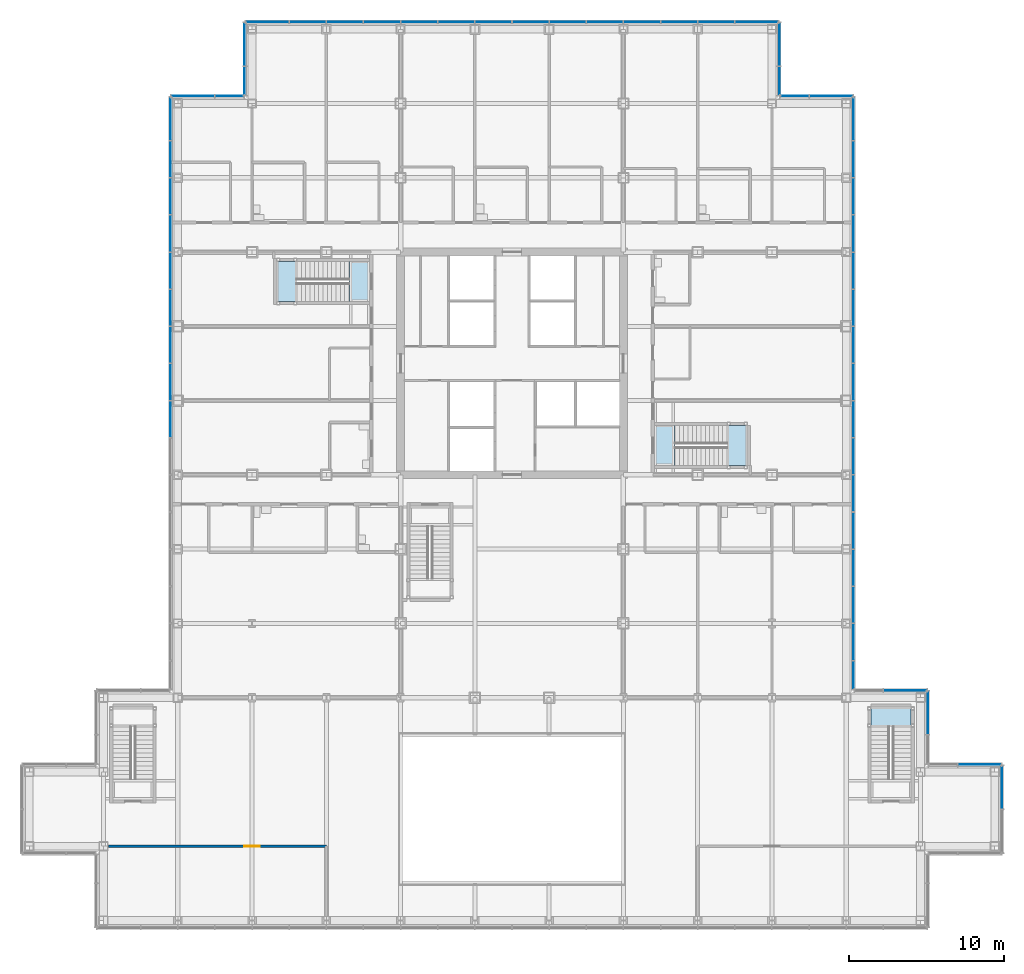
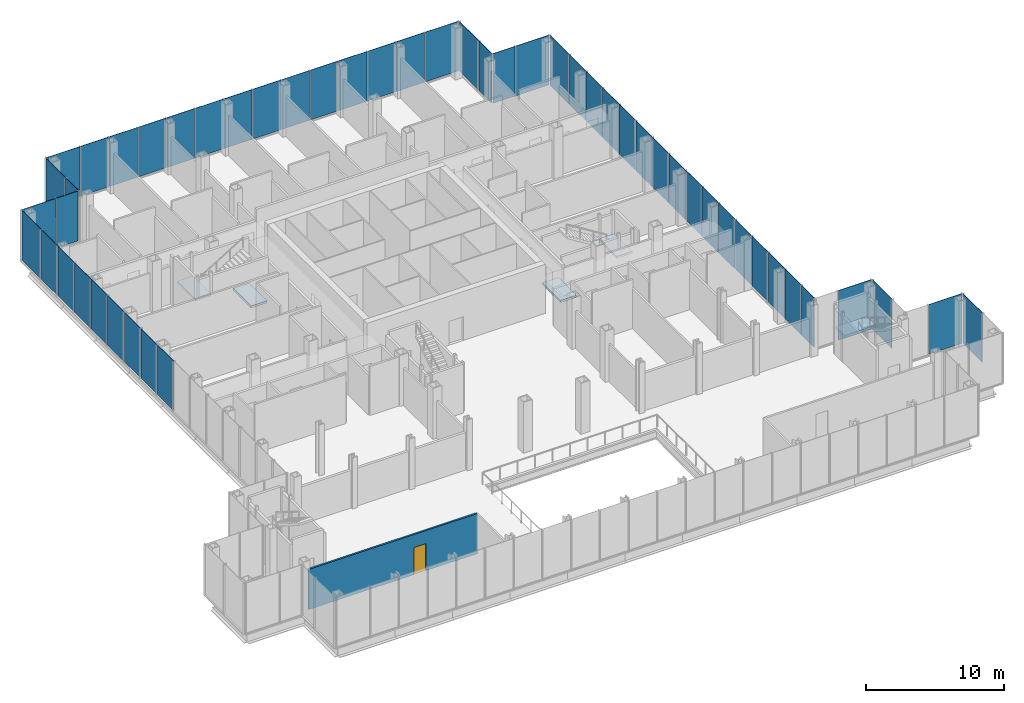
# One storey, part 18 of 25: 51 plates, 5 slabs, 1 door, 1 wall, 1 opening, 14 elements without a shape of their own.
"""IFC4 building model written with IfcOpenShell, lengths in metres."""

import ifcopenshell
import ifcopenshell.guid

model = None  # the IFC model being written
_history = None  # IfcOwnerHistory: only IFC2X3 demands one
_inside = {}  # id of a spatial element -> (the spatial element, [elements in it])
_under = {}  # id of a project, library or spatial element -> (it, [spatial elements below it])
_declared = {}  # id of a project -> (the project, [libraries it declares])
_typed = {}  # id of a type object -> (the type object, [elements of that type])
_made_of = {}  # id of a material, layer set ... -> (it, [elements and type objects made of it])


def new_model(schema):
    """Start an empty IFC model of exactly this schema.

    Asked for "IFC4X3", IfcOpenShell would pick the latest addendum, in which some entities
    have other attributes; the version numbers below select the first issue.
    IFC2X3 requires an IfcOwnerHistory on every rooted entity: one is made here for all.
    """
    global model, _history
    if schema == "IFC4X3":
        model = ifcopenshell.file(schema_version=(4, 3, 0, 0))
    else:
        model = ifcopenshell.file(schema=schema)
    _inside.clear()
    _under.clear()
    _declared.clear()
    _typed.clear()
    _made_of.clear()
    _history = None
    if model.schema == "IFC2X3":
        org = make("IfcOrganization", Name="unknown")
        user = make(
            "IfcPersonAndOrganization",
            ThePerson=make("IfcPerson", FamilyName="unknown"),
            TheOrganization=org,
        )
        app = make(
            "IfcApplication",
            ApplicationDeveloper=org,
            Version="unknown",
            ApplicationFullName="unknown",
            ApplicationIdentifier="unknown",
        )
        _history = make(
            "IfcOwnerHistory",
            OwningUser=user,
            OwningApplication=app,
            ChangeAction="ADDED",
            CreationDate=0,
        )
    return model


def make(cls, **values):
    """One entity of the class cls with the attributes given. An attribute that is None is left unset."""
    return model.create_entity(
        cls, **{name: value for name, value in values.items() if value is not None}
    )


def rooted(cls, **values):
    """An entity with a GlobalId (a new one), such as an element, a storey or a relation."""
    return make(cls, GlobalId=ifcopenshell.guid.new(), OwnerHistory=_history, **values)


def si_unit(unit_type, name, prefix=None):
    """IfcSIUnit, for example si_unit("LENGTHUNIT", "METRE", prefix="MILLI")."""
    return make("IfcSIUnit", UnitType=unit_type, Prefix=prefix, Name=name)


def assignment(units):
    """IfcUnitAssignment: the units of a project."""
    return None if units is None else make("IfcUnitAssignment", Units=units)


def point(xyz):
    """IfcCartesianPoint."""
    return None if xyz is None else make("IfcCartesianPoint", Coordinates=xyz)


def direction(xyz):
    """IfcDirection."""
    return None if xyz is None else make("IfcDirection", DirectionRatios=xyz)


def frame(location, z_axis=None, x_axis=None):
    """IfcAxis2Placement3D, a coordinate frame: its origin and axes. An axis left out is left unset."""
    return make(
        "IfcAxis2Placement3D",
        Location=point(location),
        Axis=direction(z_axis),
        RefDirection=direction(x_axis),
    )


def frame_2d(location, x_axis=None):
    """IfcAxis2Placement2D, a coordinate frame in the plane: its origin and x axis."""
    return make(
        "IfcAxis2Placement2D", Location=point(location), RefDirection=direction(x_axis)
    )


def origin():
    """The frame at (0, 0, 0) with its axes left unset."""
    return frame((0.0, 0.0, 0.0))


def origin_2d():
    """The frame at (0, 0) in the plane with its x axis left unset."""
    return frame_2d((0.0, 0.0))


def place(relative_to, where):
    """IfcLocalPlacement: puts the frame where relative to a parent placement (None: the world)."""
    return make(
        "IfcLocalPlacement", PlacementRelTo=relative_to, RelativePlacement=where
    )


def context(
    kind, dimensions, precision=None, world=None, true_north=None, identifier=None
):
    """IfcGeometricRepresentationContext, for example the 3D "Model" context."""
    return make(
        "IfcGeometricRepresentationContext",
        ContextIdentifier=identifier,
        ContextType=kind,
        CoordinateSpaceDimension=dimensions,
        Precision=precision,
        WorldCoordinateSystem=world,
        TrueNorth=true_north,
    )


def subcontext(parent, identifier, kind, view, scale=None):
    """IfcGeometricRepresentationSubContext, for example "Body" below "Model"."""
    return make(
        "IfcGeometricRepresentationSubContext",
        ContextIdentifier=identifier,
        ContextType=kind,
        ParentContext=parent,
        TargetScale=scale,
        TargetView=view,
    )


def project(units=None, contexts=None):
    """IfcProject with its units and contexts."""
    return rooted(
        "IfcProject",
        Name="project",
        RepresentationContexts=contexts,
        UnitsInContext=assignment(units),
    )


def spatial(cls, under=None, at=None, **own):
    """A site, building, storey or space (cls), placed at a placement, below another one or the project."""
    s = rooted(cls, ObjectPlacement=at, **own)
    if under is not None:
        _under.setdefault(under.id(), (under, []))[1].append(s)
    return s


def polyline(points):
    """IfcPolyline through the points."""
    return make("IfcPolyline", Points=[point(p) for p in points])


def profile(cls, at=None, kind="AREA", **sizes):
    """A parametric profile (cls). Its sizes go by their IFC names, for example OverallWidth=200.0."""
    return make(cls, ProfileType=kind, Position=at, **sizes)


def rectangle(**sizes):
    """IfcRectangleProfileDef."""
    return profile("IfcRectangleProfileDef", **sizes)


def outline(outer, holes=None, kind="AREA"):
    """IfcArbitraryClosedProfileDef: a profile drawn as a closed curve; with holes, ...WithVoids."""
    if holes is None:
        return make("IfcArbitraryClosedProfileDef", ProfileType=kind, OuterCurve=outer)
    return make(
        "IfcArbitraryProfileDefWithVoids",
        ProfileType=kind,
        OuterCurve=outer,
        InnerCurves=holes,
    )


def extrude(swept, where, along, depth):
    """IfcExtrudedAreaSolid: the profile swept, set in the frame where, extruded along a direction by depth."""
    return make(
        "IfcExtrudedAreaSolid",
        SweptArea=swept,
        Position=where,
        ExtrudedDirection=direction(along),
        Depth=depth,
    )


def shape(context_of_items, identifier, shape_type, items):
    """IfcShapeRepresentation: the items that make up one representation, for example the "Body"."""
    return make(
        "IfcShapeRepresentation",
        ContextOfItems=context_of_items,
        RepresentationIdentifier=identifier,
        RepresentationType=shape_type,
        Items=items,
    )


def material(Name=None, Category=None):
    """IfcMaterial."""
    return make("IfcMaterial", Name=Name, Category=Category)


def layer(
    of_material, thickness, ventilated=None, Name=None, Category=None, Priority=None
):
    """IfcMaterialLayer: one layer of a wall or slab, of a material (None: an air gap)."""
    return make(
        "IfcMaterialLayer",
        Material=of_material,
        LayerThickness=thickness,
        IsVentilated=ventilated,
        Name=Name,
        Category=Category,
        Priority=Priority,
    )


def layer_set(layers, Name=None):
    """IfcMaterialLayerSet."""
    return make("IfcMaterialLayerSet", MaterialLayers=layers, LayerSetName=Name)


def made_of(thing, what):
    """Note that an element or type object is made of a material, layer set ...; save() writes the relation."""
    if what is not None:
        _made_of.setdefault(what.id(), (what, []))[1].append(thing)
    return thing


def type_object(cls, material=None, **own):
    """A type object (cls), such as IfcWallType, which elements share."""
    return made_of(rooted(cls, **own), material)


def element(
    cls,
    number,
    at=None,
    inside=None,
    cuts=None,
    type_object=None,
    material=None,
    context=None,
    identifier="Body",
    shape_type=None,
    held_by="IfcProductDefinitionShape",
    body=None,
    shapes=None,
    **own,
):
    """One element of the class cls, such as IfcWall. Its Tag is "e" and its number.

    at: its placement. inside: the storey or other place that contains it. cuts: it is an
    opening in that element (IfcRelVoidsElement). A single representation is given by context,
    identifier, shape_type and body (its items); several are given by shapes. held_by: the class
    of the entity that holds the representations. save() writes the other relations.
    """
    e = rooted(cls, Tag="e%d" % number, ObjectPlacement=at, **own)
    if body is not None:
        shapes = [shape(context, identifier, shape_type, body)]
    if shapes is not None:
        e.Representation = make(held_by, Representations=shapes)
    if inside is not None:
        _inside.setdefault(inside.id(), (inside, []))[1].append(e)
    if cuts is not None:
        rooted(
            "IfcRelVoidsElement", RelatingBuildingElement=cuts, RelatedOpeningElement=e
        )
    if type_object is not None:
        _typed.setdefault(type_object.id(), (type_object, []))[1].append(e)
    return made_of(e, material)


def fill(opening, filler):
    """IfcRelFillsElement: the door or window that sits in an opening."""
    return rooted(
        "IfcRelFillsElement",
        RelatingOpeningElement=opening,
        RelatedBuildingElement=filler,
    )


def aggregate(whole, parts):
    """IfcRelAggregates: a whole, such as a stair, and the parts it consists of."""
    return rooted("IfcRelAggregates", RelatingObject=whole, RelatedObjects=parts)


def save(model, path):
    """Write the relations noted so far, then the file.

    IfcRelAggregates (storeys below a building ...), IfcRelContainedInSpatialStructure (elements
    in a storey), IfcRelDefinesByType, IfcRelAssociatesMaterial and IfcRelDeclares: one each for
    every whole, place, type object, material and project.
    """
    for whole, parts in _under.values():
        aggregate(whole, parts)
    for where, things in _inside.values():
        rooted(
            "IfcRelContainedInSpatialStructure",
            RelatedElements=things,
            RelatingStructure=where,
        )
    for kind, things in _typed.values():
        rooted("IfcRelDefinesByType", RelatedObjects=things, RelatingType=kind)
    for what, things in _made_of.values():
        rooted("IfcRelAssociatesMaterial", RelatedObjects=things, RelatingMaterial=what)
    for by, libraries in _declared.values():
        rooted("IfcRelDeclares", RelatingContext=by, RelatedDefinitions=libraries)
    model.write(path)


model = new_model("IFC4")

# Units and contexts
model_context = context("Model", 3, precision=1e-05, world=origin(), true_north=direction((0.0, 1.0)))
body_context = subcontext(model_context, "Body", "Model", "MODEL_VIEW")
ifc_project = project(units=[si_unit("LENGTHUNIT", "METRE"), si_unit("AREAUNIT", "SQUARE_METRE"), si_unit("VOLUMEUNIT", "CUBIC_METRE"), si_unit("PLANEANGLEUNIT", "RADIAN"), si_unit("MASSUNIT", "GRAM", prefix="KILO")], contexts=[model_context])

# Site, building, storey
site_placement = place(None, origin())
site = spatial("IfcSite", under=ifc_project, at=site_placement, CompositionType="ELEMENT")
building_placement = place(site_placement, origin())
building = spatial("IfcBuilding", under=site, at=building_placement, Name="Kvirike Care Tower", CompositionType="ELEMENT")
storey_placement = place(building_placement, frame((0.0, 0.0, 13.5)))
storey = spatial("IfcBuildingStorey", under=building, at=storey_placement, Name="L03", CompositionType="ELEMENT", Elevation=13.5)

# Curtain wall, plate
ifc_material_1 = material(Name="Anodised aluminium stick system", Category="aluminium")
curtain_wall_type = type_object("IfcCurtainWallType", Name="CW-P PODIUM STICK CURTAIN WALL", PredefinedType="NOTDEFINED", material=ifc_material_1)
curtain_wall_1_placement = place(storey_placement, origin())
curtain_wall_1 = element("IfcCurtainWall", 1, at=curtain_wall_1_placement, inside=storey, type_object=curtain_wall_type, Name="Curtain wall L03 face 4", PredefinedType="NOTDEFINED")
ifc_material_2 = material(Name="Tinted double glazed unit", Category="glass")
ifc_layer_1 = layer(ifc_material_2, 0.031982421875)
ifc_layer_set_1 = layer_set([ifc_layer_1], Name="PODIUM VISION PANEL 32")
plate_type = type_object("IfcPlateType", Name="PODIUM VISION PANEL 32", PredefinedType="CURTAIN_PANEL", material=ifc_layer_set_1)
plate_1_placement = place(storey_placement, frame((53.27490234375, 8.621337890625, 0.10009765625), z_axis=(0.0, 0.0, 1.0), x_axis=(0.0, 1.0, 0.0)))
plate_1 = element("IfcPlate", 2, at=plate_1_placement, type_object=plate_type, Name="CW-P panel L03 face 4.2", PredefinedType="CURTAIN_PANEL", context=body_context, shape_type="SweptSolid", body=[
    extrude(rectangle(XDim=2.777587890625, YDim=0.031982421875, at=origin_2d()), origin(), (0.0, 0.0, 1.0), 4.39990234375),
])
aggregate(curtain_wall_1, [plate_1])

curtain_wall_2_placement = place(storey_placement, origin())
curtain_wall_2 = element("IfcCurtainWall", 3, at=curtain_wall_2_placement, inside=storey, type_object=curtain_wall_type, Name="Curtain wall L03 face 5", PredefinedType="NOTDEFINED")
plate_2_placement = place(storey_placement, frame((51.8212890625, 10.074951171875, 0.10009765625), z_axis=(0.0, 0.0, 1.0), x_axis=(-1.0, 0.0, 0.0)))
plate_2 = element("IfcPlate", 4, at=plate_2_placement, type_object=plate_type, Name="CW-P panel L03 face 5.1", PredefinedType="CURTAIN_PANEL", context=body_context, shape_type="SweptSolid", body=[
    extrude(rectangle(XDim=2.777587890625, YDim=0.031982421875, at=origin_2d()), origin(), (0.0, 0.0, 1.0), 4.39990234375),
])
aggregate(curtain_wall_2, [plate_2])

curtain_wall_3_placement = place(storey_placement, origin())
curtain_wall_3 = element("IfcCurtainWall", 5, at=curtain_wall_3_placement, inside=storey, type_object=curtain_wall_type, Name="Curtain wall L03 face 6", PredefinedType="NOTDEFINED")
plate_3_placement = place(storey_placement, frame((48.47509765625, 13.421142578125, 0.10009765625), z_axis=(0.0, 0.0, 1.0), x_axis=(0.0, 1.0, 0.0)))
plate_3 = element("IfcPlate", 6, at=plate_3_placement, type_object=plate_type, Name="CW-P panel L03 face 6.2", PredefinedType="CURTAIN_PANEL", context=body_context, shape_type="SweptSolid", body=[
    extrude(rectangle(XDim=2.777587890625, YDim=0.031982421875, at=origin_2d()), origin(), (0.0, 0.0, 1.0), 4.39990234375),
])
aggregate(curtain_wall_3, [plate_3])

curtain_wall_4_placement = place(storey_placement, origin())
curtain_wall_4 = element("IfcCurtainWall", 7, at=curtain_wall_4_placement, inside=storey, type_object=curtain_wall_type, Name="Curtain wall L03 face 7", PredefinedType="NOTDEFINED")
plate_4_placement = place(storey_placement, frame((47.021240234375, 14.875, 0.10009765625), z_axis=(0.0, 0.0, 1.0), x_axis=(-1.0, 0.0, 0.0)))
plate_4 = element("IfcPlate", 8, at=plate_4_placement, type_object=plate_type, Name="CW-P panel L03 face 7.1", PredefinedType="CURTAIN_PANEL", context=body_context, shape_type="SweptSolid", body=[
    extrude(rectangle(XDim=2.777587890625, YDim=0.031982421875, at=origin_2d()), origin(), (0.0, 0.0, 1.0), 4.39990234375),
])
aggregate(curtain_wall_4, [plate_4])

# Curtain wall, plates
curtain_wall_5_placement = place(storey_placement, origin())
curtain_wall_5 = element("IfcCurtainWall", 9, at=curtain_wall_5_placement, inside=storey, type_object=curtain_wall_type, Name="Curtain wall L03 face 8", PredefinedType="NOTDEFINED")
plate_5_placement = place(storey_placement, frame((43.675048828125, 15.853759765625, 0.10009765625), z_axis=(0.0, 0.0, 1.0), x_axis=(0.0, 1.0, 0.0)))
plate_5 = element("IfcPlate", 10, at=plate_5_placement, type_object=plate_type, Name="CW-P panel L03 face 8.1", PredefinedType="CURTAIN_PANEL", context=body_context, shape_type="SweptSolid", body=[
    extrude(rectangle(XDim=1.827392578125, YDim=0.031982421875, at=origin_2d()), origin(), (0.0, 0.0, 1.0), 4.39990234375),
])
plate_6_placement = place(storey_placement, frame((43.675048828125, 18.0, 0.10009765625), z_axis=(0.0, 0.0, 1.0), x_axis=(0.0, 1.0, 0.0)))
plate_6 = element("IfcPlate", 11, at=plate_6_placement, type_object=plate_type, Name="CW-P panel L03 face 8.2", PredefinedType="CURTAIN_PANEL", context=body_context, shape_type="SweptSolid", body=[
    extrude(rectangle(XDim=2.3349609375, YDim=0.031982421875, at=origin_2d()), origin(), (0.0, 0.0, 1.0), 4.39990234375),
])
plate_7_placement = place(storey_placement, frame((43.675048828125, 20.39990234375, 0.10009765625), z_axis=(0.0, 0.0, 1.0), x_axis=(0.0, 1.0, 0.0)))
plate_7 = element("IfcPlate", 12, at=plate_7_placement, type_object=plate_type, Name="CW-P panel L03 face 8.3", PredefinedType="CURTAIN_PANEL", context=body_context, shape_type="SweptSolid", body=[
    extrude(rectangle(XDim=2.3349609375, YDim=0.031982421875, at=origin_2d()), origin(), (0.0, 0.0, 1.0), 4.39990234375),
])
plate_8_placement = place(storey_placement, frame((43.675048828125, 22.800048828125, 0.10009765625), z_axis=(0.0, 0.0, 1.0), x_axis=(0.0, 1.0, 0.0)))
plate_8 = element("IfcPlate", 13, at=plate_8_placement, type_object=plate_type, Name="CW-P panel L03 face 8.4", PredefinedType="CURTAIN_PANEL", context=body_context, shape_type="SweptSolid", body=[
    extrude(rectangle(XDim=2.3349609375, YDim=0.031982421875, at=origin_2d()), origin(), (0.0, 0.0, 1.0), 4.39990234375),
])
plate_9_placement = place(storey_placement, frame((43.675048828125, 25.199951171875, 0.10009765625), z_axis=(0.0, 0.0, 1.0), x_axis=(0.0, 1.0, 0.0)))
plate_9 = element("IfcPlate", 14, at=plate_9_placement, type_object=plate_type, Name="CW-P panel L03 face 8.5", PredefinedType="CURTAIN_PANEL", context=body_context, shape_type="SweptSolid", body=[
    extrude(rectangle(XDim=2.3349609375, YDim=0.031982421875, at=origin_2d()), origin(), (0.0, 0.0, 1.0), 4.39990234375),
])
plate_10_placement = place(storey_placement, frame((43.675048828125, 27.60009765625, 0.10009765625), z_axis=(0.0, 0.0, 1.0), x_axis=(0.0, 1.0, 0.0)))
plate_10 = element("IfcPlate", 15, at=plate_10_placement, type_object=plate_type, Name="CW-P panel L03 face 8.6", PredefinedType="CURTAIN_PANEL", context=body_context, shape_type="SweptSolid", body=[
    extrude(rectangle(XDim=2.3349609375, YDim=0.031982421875, at=origin_2d()), origin(), (0.0, 0.0, 1.0), 4.39990234375),
])
plate_11_placement = place(storey_placement, frame((43.675048828125, 30.0, 0.10009765625), z_axis=(0.0, 0.0, 1.0), x_axis=(0.0, 1.0, 0.0)))
plate_11 = element("IfcPlate", 16, at=plate_11_placement, type_object=plate_type, Name="CW-P panel L03 face 8.7", PredefinedType="CURTAIN_PANEL", context=body_context, shape_type="SweptSolid", body=[
    extrude(rectangle(XDim=2.3349609375, YDim=0.031982421875, at=origin_2d()), origin(), (0.0, 0.0, 1.0), 4.39990234375),
])
plate_12_placement = place(storey_placement, frame((43.675048828125, 32.39990234375, 0.10009765625), z_axis=(0.0, 0.0, 1.0), x_axis=(0.0, 1.0, 0.0)))
plate_12 = element("IfcPlate", 17, at=plate_12_placement, type_object=plate_type, Name="CW-P panel L03 face 8.8", PredefinedType="CURTAIN_PANEL", context=body_context, shape_type="SweptSolid", body=[
    extrude(rectangle(XDim=2.3349609375, YDim=0.031982421875, at=origin_2d()), origin(), (0.0, 0.0, 1.0), 4.39990234375),
])
plate_13_placement = place(storey_placement, frame((43.675048828125, 34.800048828125, 0.10009765625), z_axis=(0.0, 0.0, 1.0), x_axis=(0.0, 1.0, 0.0)))
plate_13 = element("IfcPlate", 18, at=plate_13_placement, type_object=plate_type, Name="CW-P panel L03 face 8.9", PredefinedType="CURTAIN_PANEL", context=body_context, shape_type="SweptSolid", body=[
    extrude(rectangle(XDim=2.3349609375, YDim=0.031982421875, at=origin_2d()), origin(), (0.0, 0.0, 1.0), 4.39990234375),
])
plate_14_placement = place(storey_placement, frame((43.675048828125, 37.199951171875, 0.10009765625), z_axis=(0.0, 0.0, 1.0), x_axis=(0.0, 1.0, 0.0)))
plate_14 = element("IfcPlate", 19, at=plate_14_placement, type_object=plate_type, Name="CW-P panel L03 face 8.10", PredefinedType="CURTAIN_PANEL", context=body_context, shape_type="SweptSolid", body=[
    extrude(rectangle(XDim=2.3349609375, YDim=0.031982421875, at=origin_2d()), origin(), (0.0, 0.0, 1.0), 4.39990234375),
])
plate_15_placement = place(storey_placement, frame((43.675048828125, 39.60009765625, 0.10009765625), z_axis=(0.0, 0.0, 1.0), x_axis=(0.0, 1.0, 0.0)))
plate_15 = element("IfcPlate", 20, at=plate_15_placement, type_object=plate_type, Name="CW-P panel L03 face 8.11", PredefinedType="CURTAIN_PANEL", context=body_context, shape_type="SweptSolid", body=[
    extrude(rectangle(XDim=2.3349609375, YDim=0.031982421875, at=origin_2d()), origin(), (0.0, 0.0, 1.0), 4.39990234375),
])
plate_16_placement = place(storey_placement, frame((43.675048828125, 42.0, 0.10009765625), z_axis=(0.0, 0.0, 1.0), x_axis=(0.0, 1.0, 0.0)))
plate_16 = element("IfcPlate", 21, at=plate_16_placement, type_object=plate_type, Name="CW-P panel L03 face 8.12", PredefinedType="CURTAIN_PANEL", context=body_context, shape_type="SweptSolid", body=[
    extrude(rectangle(XDim=2.3349609375, YDim=0.031982421875, at=origin_2d()), origin(), (0.0, 0.0, 1.0), 4.39990234375),
])
plate_17_placement = place(storey_placement, frame((43.675048828125, 44.39990234375, 0.10009765625), z_axis=(0.0, 0.0, 1.0), x_axis=(0.0, 1.0, 0.0)))
plate_17 = element("IfcPlate", 22, at=plate_17_placement, type_object=plate_type, Name="CW-P panel L03 face 8.13", PredefinedType="CURTAIN_PANEL", context=body_context, shape_type="SweptSolid", body=[
    extrude(rectangle(XDim=2.3349609375, YDim=0.031982421875, at=origin_2d()), origin(), (0.0, 0.0, 1.0), 4.39990234375),
])
plate_18_placement = place(storey_placement, frame((43.675048828125, 46.800048828125, 0.10009765625), z_axis=(0.0, 0.0, 1.0), x_axis=(0.0, 1.0, 0.0)))
plate_18 = element("IfcPlate", 23, at=plate_18_placement, type_object=plate_type, Name="CW-P panel L03 face 8.14", PredefinedType="CURTAIN_PANEL", context=body_context, shape_type="SweptSolid", body=[
    extrude(rectangle(XDim=2.3349609375, YDim=0.031982421875, at=origin_2d()), origin(), (0.0, 0.0, 1.0), 4.39990234375),
])
plate_19_placement = place(storey_placement, frame((43.675048828125, 49.199951171875, 0.10009765625), z_axis=(0.0, 0.0, 1.0), x_axis=(0.0, 1.0, 0.0)))
plate_19 = element("IfcPlate", 24, at=plate_19_placement, type_object=plate_type, Name="CW-P panel L03 face 8.15", PredefinedType="CURTAIN_PANEL", context=body_context, shape_type="SweptSolid", body=[
    extrude(rectangle(XDim=2.3349609375, YDim=0.031982421875, at=origin_2d()), origin(), (0.0, 0.0, 1.0), 4.39990234375),
])
plate_20_placement = place(storey_placement, frame((43.675048828125, 51.8212890625, 0.10009765625), z_axis=(0.0, 0.0, 1.0), x_axis=(0.0, 1.0, 0.0)))
plate_20 = element("IfcPlate", 25, at=plate_20_placement, type_object=plate_type, Name="CW-P panel L03 face 8.16", PredefinedType="CURTAIN_PANEL", context=body_context, shape_type="SweptSolid", body=[
    extrude(rectangle(XDim=2.777587890625, YDim=0.031982421875, at=origin_2d()), origin(), (0.0, 0.0, 1.0), 4.39990234375),
])
aggregate(curtain_wall_5, [plate_5, plate_6, plate_7, plate_8, plate_9, plate_10, plate_11, plate_12, plate_13, plate_14, plate_15, plate_16, plate_17, plate_18, plate_19, plate_20])

curtain_wall_6_placement = place(storey_placement, origin())
curtain_wall_6 = element("IfcCurtainWall", 26, at=curtain_wall_6_placement, inside=storey, type_object=curtain_wall_type, Name="Curtain wall L03 face 9", PredefinedType="NOTDEFINED")
plate_21_placement = place(storey_placement, frame((42.22119140625, 53.27490234375, 0.10009765625), z_axis=(0.0, 0.0, 1.0), x_axis=(-1.0, 0.0, 0.0)))
plate_21 = element("IfcPlate", 27, at=plate_21_placement, type_object=plate_type, Name="CW-P panel L03 face 9.1", PredefinedType="CURTAIN_PANEL", context=body_context, shape_type="SweptSolid", body=[
    extrude(rectangle(XDim=2.777587890625, YDim=0.031982421875, at=origin_2d()), origin(), (0.0, 0.0, 1.0), 4.39990234375),
])
plate_22_placement = place(storey_placement, frame((39.853759765625, 53.27490234375, 0.10009765625), z_axis=(0.0, 0.0, 1.0), x_axis=(-1.0, 0.0, 0.0)))
plate_22 = element("IfcPlate", 28, at=plate_22_placement, type_object=plate_type, Name="CW-P panel L03 face 9.2", PredefinedType="CURTAIN_PANEL", context=body_context, shape_type="SweptSolid", body=[
    extrude(rectangle(XDim=1.827392578125, YDim=0.031982421875, at=origin_2d()), origin(), (0.0, 0.0, 1.0), 4.39990234375),
])
aggregate(curtain_wall_6, [plate_21, plate_22])

curtain_wall_7_placement = place(storey_placement, origin())
curtain_wall_7 = element("IfcCurtainWall", 29, at=curtain_wall_7_placement, inside=storey, type_object=curtain_wall_type, Name="Curtain wall L03 face 10", PredefinedType="NOTDEFINED")
plate_23_placement = place(storey_placement, frame((38.875, 54.253662109375, 0.10009765625), z_axis=(0.0, 0.0, 1.0), x_axis=(0.0, 1.0, 0.0)))
plate_23 = element("IfcPlate", 30, at=plate_23_placement, type_object=plate_type, Name="CW-P panel L03 face 10.1", PredefinedType="CURTAIN_PANEL", context=body_context, shape_type="SweptSolid", body=[
    extrude(rectangle(XDim=1.827392578125, YDim=0.031982421875, at=origin_2d()), origin(), (0.0, 0.0, 1.0), 4.39990234375),
])
plate_24_placement = place(storey_placement, frame((38.875, 56.621337890625, 0.10009765625), z_axis=(0.0, 0.0, 1.0), x_axis=(0.0, 1.0, 0.0)))
plate_24 = element("IfcPlate", 31, at=plate_24_placement, type_object=plate_type, Name="CW-P panel L03 face 10.2", PredefinedType="CURTAIN_PANEL", context=body_context, shape_type="SweptSolid", body=[
    extrude(rectangle(XDim=2.777587890625, YDim=0.031982421875, at=origin_2d()), origin(), (0.0, 0.0, 1.0), 4.39990234375),
])
aggregate(curtain_wall_7, [plate_23, plate_24])

curtain_wall_8_placement = place(storey_placement, origin())
curtain_wall_8 = element("IfcCurtainWall", 32, at=curtain_wall_8_placement, inside=storey, type_object=curtain_wall_type, Name="Curtain wall L03 face 11", PredefinedType="NOTDEFINED")
plate_25_placement = place(storey_placement, frame((37.421142578125, 58.074951171875, 0.10009765625), z_axis=(0.0, 0.0, 1.0), x_axis=(-1.0, 0.0, 0.0)))
plate_25 = element("IfcPlate", 33, at=plate_25_placement, type_object=plate_type, Name="CW-P panel L03 face 11.1", PredefinedType="CURTAIN_PANEL", context=body_context, shape_type="SweptSolid", body=[
    extrude(rectangle(XDim=2.777587890625, YDim=0.031982421875, at=origin_2d()), origin(), (0.0, 0.0, 1.0), 4.39990234375),
])
plate_26_placement = place(storey_placement, frame((34.800048828125, 58.074951171875, 0.10009765625), z_axis=(0.0, 0.0, 1.0), x_axis=(-1.0, 0.0, 0.0)))
plate_26 = element("IfcPlate", 34, at=plate_26_placement, type_object=plate_type, Name="CW-P panel L03 face 11.2", PredefinedType="CURTAIN_PANEL", context=body_context, shape_type="SweptSolid", body=[
    extrude(rectangle(XDim=2.3349609375, YDim=0.031982421875, at=origin_2d()), origin(), (0.0, 0.0, 1.0), 4.39990234375),
])
plate_27_placement = place(storey_placement, frame((32.39990234375, 58.074951171875, 0.10009765625), z_axis=(0.0, 0.0, 1.0), x_axis=(-1.0, 0.0, 0.0)))
plate_27 = element("IfcPlate", 35, at=plate_27_placement, type_object=plate_type, Name="CW-P panel L03 face 11.3", PredefinedType="CURTAIN_PANEL", context=body_context, shape_type="SweptSolid", body=[
    extrude(rectangle(XDim=2.3349609375, YDim=0.031982421875, at=origin_2d()), origin(), (0.0, 0.0, 1.0), 4.39990234375),
])
plate_28_placement = place(storey_placement, frame((30.0, 58.074951171875, 0.10009765625), z_axis=(0.0, 0.0, 1.0), x_axis=(-1.0, 0.0, 0.0)))
plate_28 = element("IfcPlate", 36, at=plate_28_placement, type_object=plate_type, Name="CW-P panel L03 face 11.4", PredefinedType="CURTAIN_PANEL", context=body_context, shape_type="SweptSolid", body=[
    extrude(rectangle(XDim=2.3349609375, YDim=0.031982421875, at=origin_2d()), origin(), (0.0, 0.0, 1.0), 4.39990234375),
])
plate_29_placement = place(storey_placement, frame((27.60009765625, 58.074951171875, 0.10009765625), z_axis=(0.0, 0.0, 1.0), x_axis=(-1.0, 0.0, 0.0)))
plate_29 = element("IfcPlate", 37, at=plate_29_placement, type_object=plate_type, Name="CW-P panel L03 face 11.5", PredefinedType="CURTAIN_PANEL", context=body_context, shape_type="SweptSolid", body=[
    extrude(rectangle(XDim=2.3349609375, YDim=0.031982421875, at=origin_2d()), origin(), (0.0, 0.0, 1.0), 4.39990234375),
])
plate_30_placement = place(storey_placement, frame((25.199951171875, 58.074951171875, 0.10009765625), z_axis=(0.0, 0.0, 1.0), x_axis=(-1.0, 0.0, 0.0)))
plate_30 = element("IfcPlate", 38, at=plate_30_placement, type_object=plate_type, Name="CW-P panel L03 face 11.6", PredefinedType="CURTAIN_PANEL", context=body_context, shape_type="SweptSolid", body=[
    extrude(rectangle(XDim=2.3349609375, YDim=0.031982421875, at=origin_2d()), origin(), (0.0, 0.0, 1.0), 4.39990234375),
])
plate_31_placement = place(storey_placement, frame((22.800048828125, 58.074951171875, 0.10009765625), z_axis=(0.0, 0.0, 1.0), x_axis=(-1.0, 0.0, 0.0)))
plate_31 = element("IfcPlate", 39, at=plate_31_placement, type_object=plate_type, Name="CW-P panel L03 face 11.7", PredefinedType="CURTAIN_PANEL", context=body_context, shape_type="SweptSolid", body=[
    extrude(rectangle(XDim=2.3349609375, YDim=0.031982421875, at=origin_2d()), origin(), (0.0, 0.0, 1.0), 4.39990234375),
])
plate_32_placement = place(storey_placement, frame((20.39990234375, 58.074951171875, 0.10009765625), z_axis=(0.0, 0.0, 1.0), x_axis=(-1.0, 0.0, 0.0)))
plate_32 = element("IfcPlate", 40, at=plate_32_placement, type_object=plate_type, Name="CW-P panel L03 face 11.8", PredefinedType="CURTAIN_PANEL", context=body_context, shape_type="SweptSolid", body=[
    extrude(rectangle(XDim=2.3349609375, YDim=0.031982421875, at=origin_2d()), origin(), (0.0, 0.0, 1.0), 4.39990234375),
])
plate_33_placement = place(storey_placement, frame((18.0, 58.074951171875, 0.10009765625), z_axis=(0.0, 0.0, 1.0), x_axis=(-1.0, 0.0, 0.0)))
plate_33 = element("IfcPlate", 41, at=plate_33_placement, type_object=plate_type, Name="CW-P panel L03 face 11.9", PredefinedType="CURTAIN_PANEL", context=body_context, shape_type="SweptSolid", body=[
    extrude(rectangle(XDim=2.3349609375, YDim=0.031982421875, at=origin_2d()), origin(), (0.0, 0.0, 1.0), 4.39990234375),
])
plate_34_placement = place(storey_placement, frame((15.60009765625, 58.074951171875, 0.10009765625), z_axis=(0.0, 0.0, 1.0), x_axis=(-1.0, 0.0, 0.0)))
plate_34 = element("IfcPlate", 42, at=plate_34_placement, type_object=plate_type, Name="CW-P panel L03 face 11.10", PredefinedType="CURTAIN_PANEL", context=body_context, shape_type="SweptSolid", body=[
    extrude(rectangle(XDim=2.3349609375, YDim=0.031982421875, at=origin_2d()), origin(), (0.0, 0.0, 1.0), 4.39990234375),
])
plate_35_placement = place(storey_placement, frame((13.199951171875, 58.074951171875, 0.10009765625), z_axis=(0.0, 0.0, 1.0), x_axis=(-1.0, 0.0, 0.0)))
plate_35 = element("IfcPlate", 43, at=plate_35_placement, type_object=plate_type, Name="CW-P panel L03 face 11.11", PredefinedType="CURTAIN_PANEL", context=body_context, shape_type="SweptSolid", body=[
    extrude(rectangle(XDim=2.3349609375, YDim=0.031982421875, at=origin_2d()), origin(), (0.0, 0.0, 1.0), 4.39990234375),
])
plate_36_placement = place(storey_placement, frame((10.800048828125, 58.074951171875, 0.10009765625), z_axis=(0.0, 0.0, 1.0), x_axis=(-1.0, 0.0, 0.0)))
plate_36 = element("IfcPlate", 44, at=plate_36_placement, type_object=plate_type, Name="CW-P panel L03 face 11.12", PredefinedType="CURTAIN_PANEL", context=body_context, shape_type="SweptSolid", body=[
    extrude(rectangle(XDim=2.3349609375, YDim=0.031982421875, at=origin_2d()), origin(), (0.0, 0.0, 1.0), 4.39990234375),
])
plate_37_placement = place(storey_placement, frame((8.39990234375, 58.074951171875, 0.10009765625), z_axis=(0.0, 0.0, 1.0), x_axis=(-1.0, 0.0, 0.0)))
plate_37 = element("IfcPlate", 45, at=plate_37_placement, type_object=plate_type, Name="CW-P panel L03 face 11.13", PredefinedType="CURTAIN_PANEL", context=body_context, shape_type="SweptSolid", body=[
    extrude(rectangle(XDim=2.3349609375, YDim=0.031982421875, at=origin_2d()), origin(), (0.0, 0.0, 1.0), 4.39990234375),
])
plate_38_placement = place(storey_placement, frame((5.77880859375, 58.074951171875, 0.10009765625), z_axis=(0.0, 0.0, 1.0), x_axis=(-1.0, 0.0, 0.0)))
plate_38 = element("IfcPlate", 46, at=plate_38_placement, type_object=plate_type, Name="CW-P panel L03 face 11.14", PredefinedType="CURTAIN_PANEL", context=body_context, shape_type="SweptSolid", body=[
    extrude(rectangle(XDim=2.777587890625, YDim=0.031982421875, at=origin_2d()), origin(), (0.0, 0.0, 1.0), 4.39990234375),
])
aggregate(curtain_wall_8, [plate_25, plate_26, plate_27, plate_28, plate_29, plate_30, plate_31, plate_32, plate_33, plate_34, plate_35, plate_36, plate_37, plate_38])

curtain_wall_9_placement = place(storey_placement, origin())
curtain_wall_9 = element("IfcCurtainWall", 47, at=curtain_wall_9_placement, inside=storey, type_object=curtain_wall_type, Name="Curtain wall L03 face 12", PredefinedType="NOTDEFINED")
plate_39_placement = place(storey_placement, frame((4.324951171875, 56.621337890625, 0.10009765625), z_axis=(0.0, 0.0, 1.0), x_axis=(0.0, -1.0, 0.0)))
plate_39 = element("IfcPlate", 48, at=plate_39_placement, type_object=plate_type, Name="CW-P panel L03 face 12.1", PredefinedType="CURTAIN_PANEL", context=body_context, shape_type="SweptSolid", body=[
    extrude(rectangle(XDim=2.777587890625, YDim=0.031982421875, at=origin_2d()), origin(), (0.0, 0.0, 1.0), 4.39990234375),
])
plate_40_placement = place(storey_placement, frame((4.324951171875, 54.253662109375, 0.10009765625), z_axis=(0.0, 0.0, 1.0), x_axis=(0.0, -1.0, 0.0)))
plate_40 = element("IfcPlate", 49, at=plate_40_placement, type_object=plate_type, Name="CW-P panel L03 face 12.2", PredefinedType="CURTAIN_PANEL", context=body_context, shape_type="SweptSolid", body=[
    extrude(rectangle(XDim=1.827392578125, YDim=0.031982421875, at=origin_2d()), origin(), (0.0, 0.0, 1.0), 4.39990234375),
])
aggregate(curtain_wall_9, [plate_39, plate_40])

curtain_wall_10_placement = place(storey_placement, origin())
curtain_wall_10 = element("IfcCurtainWall", 50, at=curtain_wall_10_placement, inside=storey, type_object=curtain_wall_type, Name="Curtain wall L03 face 13", PredefinedType="NOTDEFINED")
plate_41_placement = place(storey_placement, frame((3.34619140625, 53.27490234375, 0.10009765625), z_axis=(0.0, 0.0, 1.0), x_axis=(-1.0, 0.0, 0.0)))
plate_41 = element("IfcPlate", 51, at=plate_41_placement, type_object=plate_type, Name="CW-P panel L03 face 13.1", PredefinedType="CURTAIN_PANEL", context=body_context, shape_type="SweptSolid", body=[
    extrude(rectangle(XDim=1.827392578125, YDim=0.031982421875, at=origin_2d()), origin(), (0.0, 0.0, 1.0), 4.39990234375),
])
plate_42_placement = place(storey_placement, frame((0.978759765625, 53.27490234375, 0.10009765625), z_axis=(0.0, 0.0, 1.0), x_axis=(-1.0, 0.0, 0.0)))
plate_42 = element("IfcPlate", 52, at=plate_42_placement, type_object=plate_type, Name="CW-P panel L03 face 13.2", PredefinedType="CURTAIN_PANEL", context=body_context, shape_type="SweptSolid", body=[
    extrude(rectangle(XDim=2.777587890625, YDim=0.031982421875, at=origin_2d()), origin(), (0.0, 0.0, 1.0), 4.39990234375),
])
aggregate(curtain_wall_10, [plate_41, plate_42])

curtain_wall_11_placement = place(storey_placement, origin())
curtain_wall_11 = element("IfcCurtainWall", 53, at=curtain_wall_11_placement, inside=storey, type_object=curtain_wall_type, Name="Curtain wall L03 face 14", PredefinedType="NOTDEFINED")
plate_43_placement = place(storey_placement, frame((-0.47509765625, 51.8212890625, 0.10009765625), z_axis=(0.0, 0.0, 1.0), x_axis=(0.0, -1.0, 0.0)))
plate_43 = element("IfcPlate", 54, at=plate_43_placement, type_object=plate_type, Name="CW-P panel L03 face 14.1", PredefinedType="CURTAIN_PANEL", context=body_context, shape_type="SweptSolid", body=[
    extrude(rectangle(XDim=2.777587890625, YDim=0.031982421875, at=origin_2d()), origin(), (0.0, 0.0, 1.0), 4.39990234375),
])
plate_44_placement = place(storey_placement, frame((-0.47509765625, 49.199951171875, 0.10009765625), z_axis=(0.0, 0.0, 1.0), x_axis=(0.0, -1.0, 0.0)))
plate_44 = element("IfcPlate", 55, at=plate_44_placement, type_object=plate_type, Name="CW-P panel L03 face 14.2", PredefinedType="CURTAIN_PANEL", context=body_context, shape_type="SweptSolid", body=[
    extrude(rectangle(XDim=2.3349609375, YDim=0.031982421875, at=origin_2d()), origin(), (0.0, 0.0, 1.0), 4.39990234375),
])
plate_45_placement = place(storey_placement, frame((-0.47509765625, 46.800048828125, 0.10009765625), z_axis=(0.0, 0.0, 1.0), x_axis=(0.0, -1.0, 0.0)))
plate_45 = element("IfcPlate", 56, at=plate_45_placement, type_object=plate_type, Name="CW-P panel L03 face 14.3", PredefinedType="CURTAIN_PANEL", context=body_context, shape_type="SweptSolid", body=[
    extrude(rectangle(XDim=2.3349609375, YDim=0.031982421875, at=origin_2d()), origin(), (0.0, 0.0, 1.0), 4.39990234375),
])
plate_46_placement = place(storey_placement, frame((-0.47509765625, 44.39990234375, 0.10009765625), z_axis=(0.0, 0.0, 1.0), x_axis=(0.0, -1.0, 0.0)))
plate_46 = element("IfcPlate", 57, at=plate_46_placement, type_object=plate_type, Name="CW-P panel L03 face 14.4", PredefinedType="CURTAIN_PANEL", context=body_context, shape_type="SweptSolid", body=[
    extrude(rectangle(XDim=2.3349609375, YDim=0.031982421875, at=origin_2d()), origin(), (0.0, 0.0, 1.0), 4.39990234375),
])
plate_47_placement = place(storey_placement, frame((-0.47509765625, 42.0, 0.10009765625), z_axis=(0.0, 0.0, 1.0), x_axis=(0.0, -1.0, 0.0)))
plate_47 = element("IfcPlate", 58, at=plate_47_placement, type_object=plate_type, Name="CW-P panel L03 face 14.5", PredefinedType="CURTAIN_PANEL", context=body_context, shape_type="SweptSolid", body=[
    extrude(rectangle(XDim=2.3349609375, YDim=0.031982421875, at=origin_2d()), origin(), (0.0, 0.0, 1.0), 4.39990234375),
])
plate_48_placement = place(storey_placement, frame((-0.47509765625, 39.60009765625, 0.10009765625), z_axis=(0.0, 0.0, 1.0), x_axis=(0.0, -1.0, 0.0)))
plate_48 = element("IfcPlate", 59, at=plate_48_placement, type_object=plate_type, Name="CW-P panel L03 face 14.6", PredefinedType="CURTAIN_PANEL", context=body_context, shape_type="SweptSolid", body=[
    extrude(rectangle(XDim=2.3349609375, YDim=0.031982421875, at=origin_2d()), origin(), (0.0, 0.0, 1.0), 4.39990234375),
])
plate_49_placement = place(storey_placement, frame((-0.47509765625, 37.199951171875, 0.10009765625), z_axis=(0.0, 0.0, 1.0), x_axis=(0.0, -1.0, 0.0)))
plate_49 = element("IfcPlate", 60, at=plate_49_placement, type_object=plate_type, Name="CW-P panel L03 face 14.7", PredefinedType="CURTAIN_PANEL", context=body_context, shape_type="SweptSolid", body=[
    extrude(rectangle(XDim=2.3349609375, YDim=0.031982421875, at=origin_2d()), origin(), (0.0, 0.0, 1.0), 4.39990234375),
])
plate_50_placement = place(storey_placement, frame((-0.47509765625, 34.800048828125, 0.10009765625), z_axis=(0.0, 0.0, 1.0), x_axis=(0.0, -1.0, 0.0)))
plate_50 = element("IfcPlate", 61, at=plate_50_placement, type_object=plate_type, Name="CW-P panel L03 face 14.8", PredefinedType="CURTAIN_PANEL", context=body_context, shape_type="SweptSolid", body=[
    extrude(rectangle(XDim=2.3349609375, YDim=0.031982421875, at=origin_2d()), origin(), (0.0, 0.0, 1.0), 4.39990234375),
])
plate_51_placement = place(storey_placement, frame((-0.47509765625, 32.39990234375, 0.10009765625), z_axis=(0.0, 0.0, 1.0), x_axis=(0.0, -1.0, 0.0)))
plate_51 = element("IfcPlate", 62, at=plate_51_placement, type_object=plate_type, Name="CW-P panel L03 face 14.9", PredefinedType="CURTAIN_PANEL", context=body_context, shape_type="SweptSolid", body=[
    extrude(rectangle(XDim=2.3349609375, YDim=0.031982421875, at=origin_2d()), origin(), (0.0, 0.0, 1.0), 4.39990234375),
])
aggregate(curtain_wall_11, [plate_43, plate_44, plate_45, plate_46, plate_47, plate_48, plate_49, plate_50, plate_51])

# Stair, slabs
ifc_material_3 = material(Name="Concrete C35/45", Category="concrete")
stair_type = type_object("IfcStairType", Name="STAIR 26 RISERS", PredefinedType="HALF_TURN_STAIR", material=ifc_material_3)
stair_1_placement = place(storey_placement, origin())
stair_1 = element("IfcStair", 63, at=stair_1_placement, inside=storey, type_object=stair_type, Name="Stair 1 L03", PredefinedType="HALF_TURN_STAIR")
ifc_material_4 = material(Name="Concrete C35/45", Category="concrete")
ifc_layer_2 = layer(ifc_material_4, 0.199951171875)
ifc_layer_set_2 = layer_set([ifc_layer_2], Name="STAIR LANDING 200")
slab_type = type_object("IfcSlabType", Name="STAIR LANDING 200", PredefinedType="LANDING", material=ifc_layer_set_2)
slab_1_placement = place(storey_placement, frame((0.0, 0.0, -0.199951171875)))
slab_1 = element("IfcSlab", 64, at=slab_1_placement, type_object=slab_type, Name="Stair S1 floor landing L03", PredefinedType="LANDING", context=body_context, shape_type="SweptSolid", body=[
    extrude(outline(polyline([(11.06005859375, 42.60009765625), (11.06005859375, 40.0), (12.39990234375, 40.0), (12.39990234375, 42.60009765625), (11.06005859375, 42.60009765625)])), origin(), (0.0, 0.0, 1.0), 0.199951171875),
])
slab_2_placement = place(storey_placement, frame((0.0, 0.0, 2.050048828125)))
slab_2 = element("IfcSlab", 65, at=slab_2_placement, type_object=slab_type, Name="Stair S1 half landing L03-L04", PredefinedType="LANDING", context=body_context, shape_type="SweptSolid", body=[
    extrude(outline(polyline([(6.39990234375, 42.60009765625), (6.39990234375, 40.0), (7.699951171875, 40.0), (7.699951171875, 42.60009765625), (6.39990234375, 42.60009765625)])), origin(), (0.0, 0.0, 1.0), 0.199951171875),
])
aggregate(stair_1, [slab_1, slab_2])

stair_2_placement = place(storey_placement, origin())
stair_2 = element("IfcStair", 66, at=stair_2_placement, inside=storey, type_object=stair_type, Name="Stair 2 L03", PredefinedType="HALF_TURN_STAIR")
slab_3_placement = place(storey_placement, frame((0.0, 0.0, -0.199951171875)))
slab_3 = element("IfcSlab", 67, at=slab_3_placement, type_object=slab_type, Name="Stair S2 floor landing L03", PredefinedType="LANDING", context=body_context, shape_type="SweptSolid", body=[
    extrude(outline(polyline([(32.139892578125, 29.39990234375), (32.139892578125, 32.0), (30.800048828125, 32.0), (30.800048828125, 29.39990234375), (32.139892578125, 29.39990234375)])), origin(), (0.0, 0.0, 1.0), 0.199951171875),
])
slab_4_placement = place(storey_placement, frame((0.0, 0.0, 2.050048828125)))
slab_4 = element("IfcSlab", 68, at=slab_4_placement, type_object=slab_type, Name="Stair S2 half landing L03-L04", PredefinedType="LANDING", context=body_context, shape_type="SweptSolid", body=[
    extrude(outline(polyline([(36.800048828125, 29.39990234375), (36.800048828125, 32.0), (35.5, 32.0), (35.5, 29.39990234375), (36.800048828125, 29.39990234375)])), origin(), (0.0, 0.0, 1.0), 0.199951171875),
])
aggregate(stair_2, [slab_3, slab_4])

# Stair, slab
stair_3_placement = place(storey_placement, origin())
stair_3 = element("IfcStair", 69, at=stair_3_placement, inside=storey, type_object=stair_type, Name="Stair 4 L03", PredefinedType="HALF_TURN_STAIR")
slab_5_placement = place(storey_placement, frame((0.0, 0.0, 2.050048828125)))
slab_5 = element("IfcSlab", 70, at=slab_5_placement, type_object=slab_type, Name="Stair S4 half landing L03-L04", PredefinedType="LANDING", context=body_context, shape_type="SweptSolid", body=[
    extrude(outline(polyline([(44.800048828125, 12.5), (47.39990234375, 12.5), (47.39990234375, 13.800048828125), (44.800048828125, 13.800048828125), (44.800048828125, 12.5)])), origin(), (0.0, 0.0, 1.0), 0.199951171875),
])
aggregate(stair_3, [slab_5])

# Wall, opening, door
ifc_material_5 = material(Name="Plasterboard partition", Category="gypsum")
ifc_layer_3 = layer(ifc_material_5, 0.14990234375)
ifc_layer_set_3 = layer_set([ifc_layer_3], Name="CLINIC PARTITION 150")
wall_type = type_object("IfcWallType", Name="CLINIC PARTITION 150", PredefinedType="PARTITIONING", material=ifc_layer_set_3)
wall_placement = place(storey_placement, frame((-4.47998046875, 4.800048828125, 0.0), z_axis=(0.0, 0.0, 1.0), x_axis=(1.0, 0.0, 0.0)))
wall = element("IfcWall", 71, at=wall_placement, inside=storey, type_object=wall_type, Name="Clinic Partition 150 L03", PredefinedType="PARTITIONING", context=body_context, shape_type="SweptSolid", body=[
    extrude(rectangle(XDim=14.080078125, YDim=0.14990234375, at=frame_2d((7.0400390625, 0.0))), origin(), (0.0, 0.0, 1.0), 3.550048828125),
])
opening_placement = place(wall_placement, frame((8.780029296875, 0.0, 0.0)))
opening = element("IfcOpeningElement", 72, at=opening_placement, cuts=wall, Name="Opening 03-045", PredefinedType="OPENING", context=body_context, shape_type="SweptSolid", body=[
    extrude(rectangle(XDim=1.0, YDim=2.39990234375, at=frame_2d((0.5, 1.199951171875))), frame((0.0, 0.08544921875, 0.0), z_axis=(0.0, -1.0, 0.0), x_axis=(1.0, 0.0, 0.0)), (0.0, 0.0, 1.0), 0.1708984375),
])
ifc_material_6 = material(Name="Timber door set", Category="wood")
door_type = type_object("IfcDoorType", Name="CONSULTING ROOM DOOR 1000", OperationType="SINGLE_SWING_LEFT", PredefinedType="DOOR", material=ifc_material_6)
door_placement = place(opening_placement, frame((1.0, 0.0, 0.0), z_axis=(0.0, 0.0, 1.0), x_axis=(-1.0, 0.0, 0.0)))
door = element("IfcDoor", 73, at=door_placement, inside=storey, type_object=door_type, Name="Consulting room door", OperationType="SINGLE_SWING_RIGHT", OverallHeight=2.39990234375, OverallWidth=1.0, PredefinedType="DOOR", context=body_context, shape_type="SweptSolid", body=[
    extrude(rectangle(XDim=1.0, YDim=2.39990234375, at=frame_2d((0.5, 1.199951171875))), frame((0.0, 0.02685546875, 0.0), z_axis=(0.0, -1.0, 0.0), x_axis=(1.0, 0.0, 0.0)), (0.0, 0.0, 1.0), 0.053955078125),
])
fill(opening, door)

save(model, "model.ifc")
